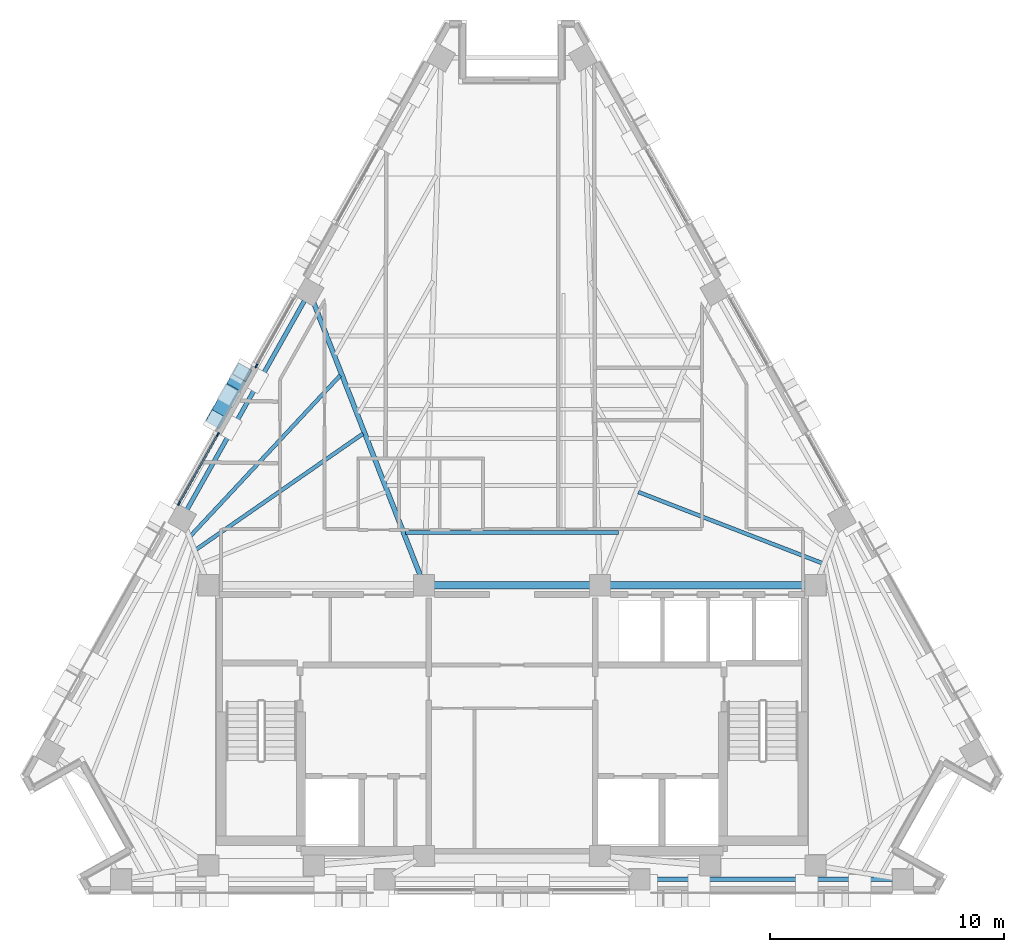
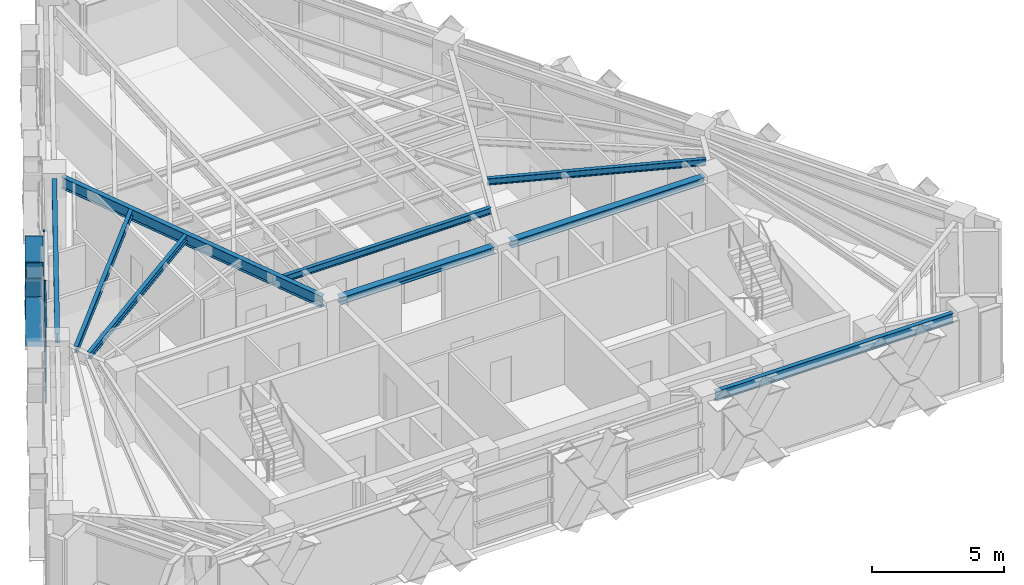
# One storey, part 3 of 12: 9 beams, 9 members, 2 elements without a shape of their own.
"""IFC4 building model written with IfcOpenShell, lengths in metres."""

from ifc_helpers import new_model, si_unit, direction, frame, origin, origin_2d, place, context, subcontext, project, spatial, rectangle, hollow_rectangle, i_section, extrude, material, material_profile, profile_set, type_object, element, aggregate, save


model = new_model("IFC4")

# Units and contexts
model_context = context("Model", 3, precision=1e-05, world=origin(), true_north=direction((0.0, 1.0)))
body_context = subcontext(model_context, "Body", "Model", "MODEL_VIEW")
ifc_project = project(units=[si_unit("LENGTHUNIT", "METRE"), si_unit("AREAUNIT", "SQUARE_METRE"), si_unit("VOLUMEUNIT", "CUBIC_METRE"), si_unit("PLANEANGLEUNIT", "RADIAN"), si_unit("MASSUNIT", "GRAM", prefix="KILO")], contexts=[model_context])

# Site, building, storey
site_placement = place(None, origin())
site = spatial("IfcSite", under=ifc_project, at=site_placement, CompositionType="ELEMENT")
building_placement = place(site_placement, origin())
building = spatial("IfcBuilding", under=site, at=building_placement, Name="Quenlor Broadcast Tower", CompositionType="ELEMENT")
storey_placement = place(building_placement, frame((0.0, 0.0, 193.89990234375)))
storey = spatial("IfcBuildingStorey", under=building, at=storey_placement, Name="L53", CompositionType="ELEMENT", Elevation=193.89990234375)

# Curtain wall, members
ifc_material_1 = material(Name="Architectural Terracotta and Low-E Glazing", Category="masonry")
curtain_wall_type = type_object("IfcCurtainWallType", Name="Unitised Terracotta Curtain Wall System Z4", PredefinedType="NOTDEFINED", material=ifc_material_1)
curtain_wall_1_placement = place(storey_placement, origin())
curtain_wall_1 = element("IfcCurtainWall", 1, at=curtain_wall_1_placement, inside=storey, type_object=curtain_wall_type, Name="L53 Curtain Wall CW4 (L53-NW-G1)", PredefinedType="NOTDEFINED")
ifc_material_2 = material(Name="Aluminium 6063-T6", Category="aluminium")
ifc_material_profile_1 = material_profile(ifc_material_2, rectangle(XDim=0.068115234375, YDim=0.179931640625, at=origin_2d()))
ifc_profile_set_1 = profile_set([ifc_material_profile_1], Name="Aluminium 6063-T6 MULL68x180")
member_type_1 = type_object("IfcMemberType", Name="CW4 Aluminium Mullion MULL_CW4", PredefinedType="MULLION", material=ifc_profile_set_1)
member_1_placement = place(storey_placement, frame((-14.20068359375, -1.3046875, 0.0), z_axis=(0.0, 0.0, 1.0), x_axis=(-0.871577871382, 0.490257089819, 0.0)))
member_1 = element("IfcMember", 2, at=member_1_placement, type_object=member_type_1, Name="CW4 mullion 1", PredefinedType="MULLION", context=body_context, shape_type="SweptSolid", body=[
    extrude(rectangle(XDim=0.068115234375, YDim=0.179931640625, at=origin_2d()), origin(), (0.0, 0.0, 1.0), 3.25),
])
member_2_placement = place(storey_placement, frame((-12.55126953125, 1.627685546875, 0.0), z_axis=(0.0, 0.0, 1.0), x_axis=(-0.871577871382, 0.490257089819, 0.0)))
member_2 = element("IfcMember", 3, at=member_2_placement, type_object=member_type_1, Name="CW4 mullion 2", PredefinedType="MULLION", context=body_context, shape_type="SweptSolid", body=[
    extrude(rectangle(XDim=0.068115234375, YDim=0.179931640625, at=origin_2d()), origin(), (0.0, 0.0, 1.0), 3.25),
])

# Curtain wall, member
curtain_wall_2_placement = place(storey_placement, origin())
curtain_wall_2 = element("IfcCurtainWall", 4, at=curtain_wall_2_placement, inside=storey, type_object=curtain_wall_type, Name="L53 Curtain Wall CW4 (L53-NW-G2)", PredefinedType="NOTDEFINED")
member_3_placement = place(storey_placement, frame((-10.906494140625, 4.5517578125, 0.0), z_axis=(0.0, 0.0, 1.0), x_axis=(-0.871577871382, 0.490257089819, 0.0)))
member_3 = element("IfcMember", 5, at=member_3_placement, type_object=member_type_1, Name="CW4 mullion 1", PredefinedType="MULLION", context=body_context, shape_type="SweptSolid", body=[
    extrude(rectangle(XDim=0.068115234375, YDim=0.179931640625, at=origin_2d()), origin(), (0.0, 0.0, 1.0), 3.25),
])
aggregate(curtain_wall_2, [member_3])

# Member
ifc_material_3 = material(Name="Aluminium 6063-T6", Category="aluminium")
ifc_material_profile_2 = material_profile(ifc_material_3, rectangle(XDim=0.068115234375, YDim=0.14990234375, at=origin_2d()))
ifc_profile_set_2 = profile_set([ifc_material_profile_2], Name="Aluminium 6063-T6 TRAN68x150")
member_type_2 = type_object("IfcMemberType", Name="CW4 Aluminium Transom TRAN_CW4", PredefinedType="USERDEFINED", material=ifc_profile_set_2)
member_4_placement = place(storey_placement, frame((-14.18408203125, -1.275146484375, 0.0341796875), z_axis=(0.490233108043, 0.871591360546, 0.0), x_axis=(-0.871591360546, 0.490233108043, 0.0)))
member_4 = element("IfcMember", 6, at=member_4_placement, type_object=member_type_2, Name="CW4 transom 1.1", ObjectType="TRANSOM", PredefinedType="USERDEFINED", context=body_context, shape_type="SweptSolid", body=[
    extrude(rectangle(XDim=0.068115234375, YDim=0.14990234375, at=origin_2d()), origin(), (0.0, 0.0, 1.0), 3.29638671875),
])

member_5_placement = place(storey_placement, frame((-14.18408203125, -1.275146484375, 0.9501953125), z_axis=(0.490233108043, 0.871591360546, 0.0), x_axis=(-0.871591360546, 0.490233108043, 0.0)))
member_5 = element("IfcMember", 7, at=member_5_placement, type_object=member_type_2, Name="CW4 transom 1.2", ObjectType="TRANSOM", PredefinedType="USERDEFINED", context=body_context, shape_type="SweptSolid", body=[
    extrude(rectangle(XDim=0.068115234375, YDim=0.14990234375, at=origin_2d()), origin(), (0.0, 0.0, 1.0), 3.29638671875),
])

member_6_placement = place(storey_placement, frame((-14.18408203125, -1.275146484375, 3.216064453125), z_axis=(0.490233108043, 0.871591360546, 0.0), x_axis=(-0.871591360546, 0.490233108043, 0.0)))
member_6 = element("IfcMember", 8, at=member_6_placement, type_object=member_type_2, Name="CW4 transom 1.3", ObjectType="TRANSOM", PredefinedType="USERDEFINED", context=body_context, shape_type="SweptSolid", body=[
    extrude(rectangle(XDim=0.068115234375, YDim=0.14990234375, at=origin_2d()), origin(), (0.0, 0.0, 1.0), 3.29638671875),
])

aggregate(curtain_wall_1, [member_1, member_2, member_4, member_5, member_6])

# Beams
ifc_material_4 = material(Name="Steel S355", Category="steel")
ifc_material_profile_3 = material_profile(ifc_material_4, i_section(OverallWidth=0.304931640625, OverallDepth=0.30810546875, WebThickness=0.010009765625, FlangeThickness=0.015380859375, FilletRadius=0.0166015625, at=origin_2d()))
ifc_profile_set_3 = profile_set([ifc_material_profile_3], Name="Steel S355 310UC96.8")
beam_type_1 = type_object("IfcBeamType", Name="Core Header Beam Steel S355 310UC96.8", PredefinedType="BEAM", material=ifc_profile_set_3)
beam_1_placement = place(storey_placement, frame((-3.389892578125, -4.800048828125, 3.09619140625), z_axis=(1.0, 0.0, 0.0), x_axis=(0.0, 1.0, 0.0)))
element("IfcBeam", 9, at=beam_1_placement, inside=storey, type_object=beam_type_1, Name="L53 Core Header Beam 2", PredefinedType="BEAM", context=body_context, shape_type="SweptSolid", body=[
    extrude(i_section(OverallWidth=0.304931640625, OverallDepth=0.30810546875, WebThickness=0.010009765625, FlangeThickness=0.015380859375, FilletRadius=0.0166015625, at=origin_2d()), origin(), (0.0, 0.0, 1.0), 6.77978515625),
])
ifc_material_5 = material(Name="Steel S355", Category="steel")
ifc_material_profile_4 = material_profile(ifc_material_5, i_section(OverallWidth=0.306884765625, OverallDepth=0.314697265625, WebThickness=0.011962890625, FlangeThickness=0.018798828125, FilletRadius=0.0166015625, at=origin_2d()))
ifc_profile_set_4 = profile_set([ifc_material_profile_4], Name="Steel S355 310UC118")
beam_type_2 = type_object("IfcBeamType", Name="Core Tie Beam Steel S355 310UC118", PredefinedType="BEAM", material=ifc_profile_set_4)
beam_2_placement = place(storey_placement, frame((4.110107421875, -4.800048828125, 3.0927734375), z_axis=(1.0, 0.0, 0.0), x_axis=(0.0, 1.0, 0.0)))
element("IfcBeam", 10, at=beam_2_placement, inside=storey, type_object=beam_type_2, Name="L53 Core Tie Beam 3", PredefinedType="BEAM", context=body_context, shape_type="SweptSolid", body=[
    extrude(i_section(OverallWidth=0.306884765625, OverallDepth=0.314697265625, WebThickness=0.011962890625, FlangeThickness=0.018798828125, FilletRadius=0.0166015625, at=origin_2d()), origin(), (0.0, 0.0, 1.0), 8.47998046875),
])

# Members
ifc_material_6 = material(Name="Steel S355", Category="steel")
ifc_material_profile_5 = material_profile(ifc_material_6, hollow_rectangle(XDim=0.679931640625, YDim=0.679931640625, WallThickness=0.02490234375, at=origin_2d()))
ifc_profile_set_5 = profile_set([ifc_material_profile_5], Name="Steel S355 RHS680x680x25")
member_type_3 = type_object("IfcMemberType", Name="Perimeter Diagonal Lattice Brace Z3-Z4 Steel S355 RHS680x25", PredefinedType="BRACE", material=ifc_profile_set_5)
member_7_placement = place(storey_placement, frame((-12.6376953125, 2.279541015625, -0.119873046875), z_axis=(0.269493020061, 0.479144022478, 0.835340959047), x_axis=(-0.871595351467, 0.490226012469, 0.0)))
element("IfcMember", 11, at=member_7_placement, inside=storey, type_object=member_type_3, Name="L53 Perimeter Diamond Lattice NW-C3XA", PredefinedType="BRACE", context=body_context, shape_type="SweptSolid", body=[
    extrude(hollow_rectangle(XDim=0.679931640625, YDim=0.679931640625, WallThickness=0.02490234375, at=origin_2d()), origin(), (0.0, 0.0, 1.0), 4.18994140625),
])
for number, where, z_axis, x_axis, name in (
    (12, (-11.508544921875, 4.287109375, -0.119873046875), (-0.269535527865, -0.479130165145, 0.835335192642), (0.871556252289, -0.490295522207, 0.0), "L53 Perimeter Diamond Lattice NW-C3XB1"),
    (13, (-12.140380859375, 3.16357421875, 1.8388671875), (-0.269535527865, -0.479130165145, 0.835335192642), (0.871556252289, -0.490295522207, 0.0), "L53 Perimeter Diamond Lattice NW-C3XB2"),
):
    element("IfcMember", number, at=place(storey_placement, frame(where, z_axis=z_axis, x_axis=x_axis)), inside=storey, type_object=member_type_3, Name=name, PredefinedType="BRACE", context=body_context, shape_type="SweptSolid", body=[
        extrude(hollow_rectangle(XDim=0.679931640625, YDim=0.679931640625, WallThickness=0.02490234375, at=origin_2d()), origin(), (0.0, 0.0, 1.0), 1.844970703125),
    ])

# Beams
ifc_material_7 = material(Name="Steel S355", Category="steel")
ifc_material_profile_6 = material_profile(ifc_material_7, i_section(OverallWidth=0.18994140625, OverallDepth=0.453857421875, WebThickness=0.008544921875, FlangeThickness=0.0126953125, FilletRadius=0.011474609375, at=origin_2d()))
ifc_profile_set_6 = profile_set([ifc_material_profile_6], Name="Steel S355 460UB67.1")
beam_type_3 = type_object("IfcBeamType", Name="Perimeter Spandrel Beam Z4 Steel S355 460UB67.1", PredefinedType="SPANDREL", material=ifc_profile_set_6)
beam_3_placement = place(storey_placement, frame((5.847900390625, -17.35009765625, 3.023193359375), z_axis=(1.0, 0.0, 0.0), x_axis=(0.0, 1.0, 0.0)))
element("IfcBeam", 14, at=beam_3_placement, inside=storey, type_object=beam_type_3, Name="L53 Spandrel Beam S3-S4", PredefinedType="SPANDREL", context=body_context, shape_type="SweptSolid", body=[
    extrude(i_section(OverallWidth=0.18994140625, OverallDepth=0.453857421875, WebThickness=0.008544921875, FlangeThickness=0.0126953125, FilletRadius=0.011474609375, at=origin_2d()), origin(), (0.0, 0.0, 1.0), 10.41796875),
])
beam_4_placement = place(storey_placement, frame((-8.840576171875, 7.357666015625, 3.023193359375), z_axis=(-0.490263496537, -0.871574267612, 0.0), x_axis=(0.871574267612, -0.490263496537, 0.0)))
element("IfcBeam", 15, at=beam_4_placement, inside=storey, type_object=beam_type_3, Name="L53 Spandrel Beam NW2-NW3", PredefinedType="SPANDREL", context=body_context, shape_type="SweptSolid", body=[
    extrude(i_section(OverallWidth=0.18994140625, OverallDepth=0.453857421875, WebThickness=0.008544921875, FlangeThickness=0.0126953125, FilletRadius=0.011474609375, at=origin_2d()), origin(), (0.0, 0.0, 1.0), 10.271728515625),
])
ifc_material_8 = material(Name="Steel S355", Category="steel")
ifc_material_profile_7 = material_profile(ifc_material_8, i_section(OverallWidth=0.166015625, OverallDepth=0.30712890625, WebThickness=0.006591796875, FlangeThickness=0.01171875, FilletRadius=0.011474609375, at=origin_2d()))
ifc_profile_set_7 = profile_set([ifc_material_profile_7], Name="Steel S355 310UB46.2")
beam_type_4 = type_object("IfcBeamType", Name="Tower Composite Joist Z4-Z5 Steel S355 310UB46.2", PredefinedType="JOIST", material=ifc_profile_set_7)
beam_5_placement = place(storey_placement, frame((-4.550048828125, -2.54736328125, 3.096435546875), z_axis=(1.0, 0.0, 0.0), x_axis=(0.0, 1.0, 0.0)))
element("IfcBeam", 16, at=beam_5_placement, inside=storey, type_object=beam_type_4, Name="L53 Secondary Composite Joist 1", PredefinedType="JOIST", context=body_context, shape_type="SweptSolid", body=[
    extrude(i_section(OverallWidth=0.166015625, OverallDepth=0.30712890625, WebThickness=0.006591796875, FlangeThickness=0.01171875, FilletRadius=0.011474609375, at=origin_2d()), origin(), (0.0, 0.0, 1.0), 9.10009765625),
])
beam_6_placement = place(storey_placement, frame((-13.470458984375, -3.273681640625, 3.096435546875), z_axis=(0.821539857981, 0.570151086773, 0.0), x_axis=(-0.570151086773, 0.821539857981, 0.0)))
element("IfcBeam", 17, at=beam_6_placement, inside=storey, type_object=beam_type_4, Name="L53 Secondary Composite Joist 8", PredefinedType="JOIST", context=body_context, shape_type="SweptSolid", body=[
    extrude(i_section(OverallWidth=0.166015625, OverallDepth=0.30712890625, WebThickness=0.006591796875, FlangeThickness=0.01171875, FilletRadius=0.011474609375, at=origin_2d()), origin(), (0.0, 0.0, 1.0), 8.656982421875),
])
beam_7_placement = place(storey_placement, frame((-13.707275390625, -2.691162109375, 3.096435546875), z_axis=(0.682034672805, 0.731319837754, 0.0), x_axis=(-0.731319837754, 0.682034672805, 0.0)))
element("IfcBeam", 18, at=beam_7_placement, inside=storey, type_object=beam_type_4, Name="L53 Secondary Composite Joist 9", PredefinedType="JOIST", context=body_context, shape_type="SweptSolid", body=[
    extrude(i_section(OverallWidth=0.166015625, OverallDepth=0.30712890625, WebThickness=0.006591796875, FlangeThickness=0.01171875, FilletRadius=0.011474609375, at=origin_2d()), origin(), (0.0, 0.0, 1.0), 9.357421875),
])
beam_8_placement = place(storey_placement, frame((13.236083984375, -3.85986328125, 3.096435546875), z_axis=(-0.932639299023, 0.360810113381, 0.0), x_axis=(-0.360810113381, -0.932639299023, 0.0)))
element("IfcBeam", 19, at=beam_8_placement, inside=storey, type_object=beam_type_4, Name="L53 Secondary Composite Joist 10", PredefinedType="JOIST", context=body_context, shape_type="SweptSolid", body=[
    extrude(i_section(OverallWidth=0.166015625, OverallDepth=0.30712890625, WebThickness=0.006591796875, FlangeThickness=0.01171875, FilletRadius=0.011474609375, at=origin_2d()), origin(), (0.0, 0.0, 1.0), 8.413330078125),
])
ifc_material_9 = material(Name="Steel S355", Category="steel")
ifc_material_profile_8 = material_profile(ifc_material_9, i_section(OverallWidth=0.208984375, OverallDepth=0.5283203125, WebThickness=0.009521484375, FlangeThickness=0.01318359375, FilletRadius=0.013916015625, at=origin_2d()))
ifc_profile_set_8 = profile_set([ifc_material_profile_8], Name="Steel S355 530UB82.0")
beam_type_5 = type_object("IfcBeamType", Name="Tower Primary Floor Beam Z4 Steel S355 530UB82.0", PredefinedType="BEAM", material=ifc_profile_set_8)
beam_9_placement = place(storey_placement, frame((-8.490478515625, 7.3330078125, 2.986083984375), z_axis=(0.363926160921, -0.931427801495, 0.0), x_axis=(0.931427801495, 0.363926160921, 0.0)))
element("IfcBeam", 20, at=beam_9_placement, inside=storey, type_object=beam_type_5, Name="L53 Primary Radial Beam NW2", PredefinedType="BEAM", context=body_context, shape_type="SweptSolid", body=[
    extrude(i_section(OverallWidth=0.208984375, OverallDepth=0.5283203125, WebThickness=0.009521484375, FlangeThickness=0.01318359375, FilletRadius=0.013916015625, at=origin_2d()), origin(), (0.0, 0.0, 1.0), 12.646240234375),
])

save(model, "model.ifc")
